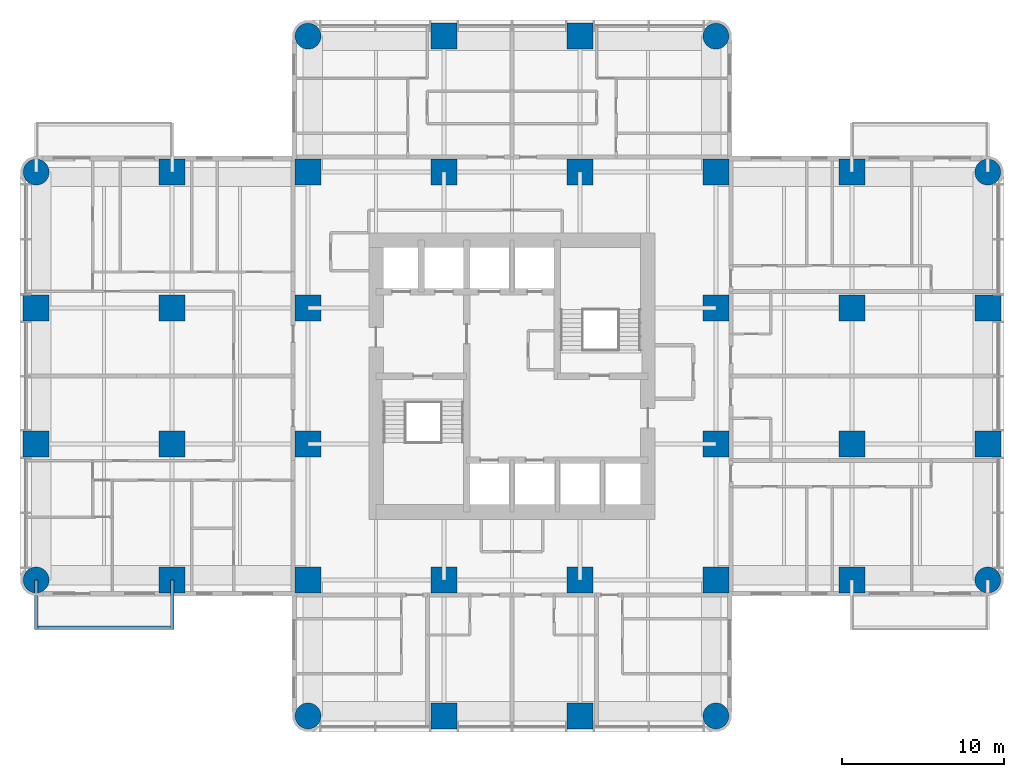
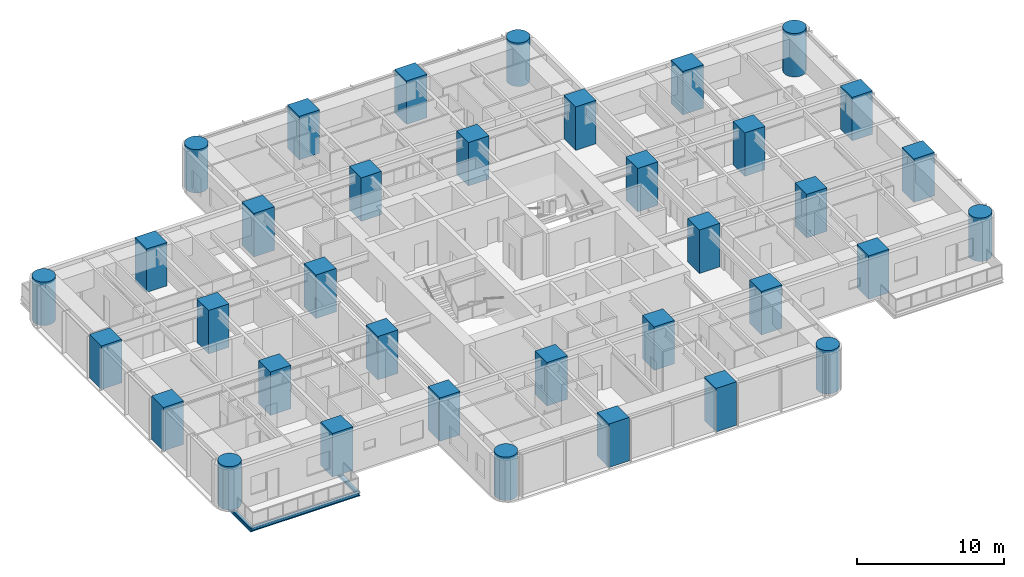
# One storey, part 1 of 14: 36 columns, 3 beams.
"""IFC4 building model written with IfcOpenShell, lengths in metres."""

from ifc_helpers import new_model, si_unit, direction, frame, origin, origin_2d, place, context, subcontext, project, spatial, rectangle, circle, i_section, extrude, material, material_profile, profile_set, type_object, element, save


model = new_model("IFC4")

# Units and contexts
model_context = context("Model", 3, precision=1e-05, world=origin(), true_north=direction((0.0, 1.0)))
body_context = subcontext(model_context, "Body", "Model", "MODEL_VIEW")
ifc_project = project(units=[si_unit("LENGTHUNIT", "METRE"), si_unit("AREAUNIT", "SQUARE_METRE"), si_unit("VOLUMEUNIT", "CUBIC_METRE"), si_unit("PLANEANGLEUNIT", "RADIAN"), si_unit("MASSUNIT", "GRAM", prefix="KILO")], contexts=[model_context])

# Site, building, storey
site_placement = place(None, origin())
site = spatial("IfcSite", under=ifc_project, at=site_placement, CompositionType="ELEMENT")
building_placement = place(site_placement, origin())
building = spatial("IfcBuilding", under=site, at=building_placement, Name="Torre Alcanfor", CompositionType="ELEMENT")
storey_placement = place(building_placement, frame((0.0, 0.0, 155.699951171875)))
storey = spatial("IfcBuildingStorey", under=building, at=storey_placement, Name="L40", CompositionType="ELEMENT", Elevation=155.699951171875)

# Columns
ifc_material_1 = material(Name="Concrete f'c 70 MPa", Category="concrete")
ifc_material_profile_1 = material_profile(ifc_material_1, rectangle(XDim=1.60009765625, YDim=1.60009765625, at=origin_2d()), Name="1600x1600")
ifc_profile_set_1 = profile_set([ifc_material_profile_1], Name="Concrete f'c 70 MPa")
column_type_1 = type_object("IfcColumnType", Name="RC column 1600x1600 f'c70", PredefinedType="COLUMN", material=ifc_profile_set_1)
for number, where, z_axis, x_axis, name in (
    (1, (0.0, 25.199951171875, 0.0), (0.0, 0.0, 1.0), (1.0, 0.0, 0.0), "Column 1/F L40"),
    (2, (0.0, 33.60009765625, 0.0), (0.0, 0.0, 1.0), (1.0, 0.0, 0.0), "Column 1/G L40"),
    (3, (8.39990234375, 16.800048828125, 0.0), (0.0, 0.0, 1.0), (1.0, 0.0, 0.0), "Column 2/E L40"),
    (4, (8.39990234375, 25.199951171875, 0.0), (0.0, 0.0, 1.0), (1.0, 0.0, 0.0), "Column 2/F L40"),
    (5, (8.39990234375, 33.60009765625, 0.0), (0.0, 0.0, 1.0), (1.0, 0.0, 0.0), "Column 2/G L40"),
    (6, (8.39990234375, 42.0, 0.0), (0.0, 0.0, 1.0), (1.0, 0.0, 0.0), "Column 2/H L40"),
    (7, (16.800048828125, 16.800048828125, 0.0), (0.0, 0.0, 1.0), (1.0, 0.0, 0.0), "Column 3/E L40"),
    (8, (16.800048828125, 25.199951171875, 0.0), (0.0, 0.0, 1.0), (1.0, 0.0, 0.0), "Column 3/F L40"),
    (9, (16.800048828125, 33.60009765625, 0.0), (0.0, 0.0, 1.0), (1.0, 0.0, 0.0), "Column 3/G L40"),
    (10, (16.800048828125, 42.0, 0.0), (0.0, 0.0, 1.0), (1.0, 0.0, 0.0), "Column 3/H L40"),
    (11, (25.199951171875, 8.39990234375, 0.0), (0.0, 0.0, 1.0), (1.0, 0.0, 0.0), "Column 4/D L40"),
    (12, (25.199951171875, 16.800048828125, 0.0), (0.0, 0.0, 1.0), (1.0, 0.0, 0.0), "Column 4/E L40"),
    (13, (25.199951171875, 42.0, 0.0), (0.0, 0.0, 1.0), (1.0, 0.0, 0.0), "Column 4/H L40"),
    (14, (25.199951171875, 50.39990234375, 0.0), (0.0, 0.0, 1.0), (1.0, 0.0, 0.0), "Column 4/J L40"),
    (15, (33.60009765625, 8.39990234375, 0.0), (0.0, 0.0, 1.0), (1.0, 0.0, 0.0), "Column 5/D L40"),
    (16, (33.60009765625, 16.800048828125, 0.0), (0.0, 0.0, 1.0), (1.0, 0.0, 0.0), "Column 5/E L40"),
    (17, (33.60009765625, 42.0, 0.0), (0.0, 0.0, 1.0), (1.0, 0.0, 0.0), "Column 5/H L40"),
    (18, (33.60009765625, 50.39990234375, 0.0), (0.0, 0.0, 1.0), (1.0, 0.0, 0.0), "Column 5/J L40"),
    (19, (42.0, 16.800048828125, 0.0), (0.0, 0.0, 1.0), (1.0, 0.0, 0.0), "Column 6/E L40"),
    (20, (42.0, 25.199951171875, 0.0), (0.0, 0.0, 1.0), (1.0, 0.0, 0.0), "Column 6/F L40"),
    (21, (42.0, 33.60009765625, 0.0), (0.0, 0.0, 1.0), (1.0, 0.0, 0.0), "Column 6/G L40"),
    (22, (42.0, 42.0, 0.0), (0.0, 0.0, 1.0), (1.0, 0.0, 0.0), "Column 6/H L40"),
    (23, (50.39990234375, 16.800048828125, 0.0), (0.0, 0.0, 1.0), (1.0, 0.0, 0.0), "Column 7/E L40"),
    (24, (50.39990234375, 25.199951171875, 0.0), (0.0, 0.0, 1.0), (1.0, 0.0, 0.0), "Column 7/F L40"),
    (25, (50.39990234375, 33.60009765625, 0.0), (0.0, 0.0, 1.0), (1.0, 0.0, 0.0), "Column 7/G L40"),
    (26, (50.39990234375, 42.0, 0.0), (0.0, 0.0, 1.0), (1.0, 0.0, 0.0), "Column 7/H L40"),
    (27, (58.800048828125, 25.199951171875, 0.0), (0.0, 0.0, 1.0), (1.0, 0.0, 0.0), "Column 8/F L40"),
    (28, (58.800048828125, 33.60009765625, 0.0), (0.0, 0.0, 1.0), (1.0, 0.0, 0.0), "Column 8/G L40"),
):
    element("IfcColumn", number, at=place(storey_placement, frame(where, z_axis=z_axis, x_axis=x_axis)), inside=storey, type_object=column_type_1, Name=name, PredefinedType="COLUMN", context=body_context, shape_type="SweptSolid", body=[
        extrude(rectangle(XDim=1.60009765625, YDim=1.60009765625, at=origin_2d()), origin(), (0.0, 0.0, 1.0), 3.60009765625),
    ])
ifc_material_2 = material(Name="Concrete f'c 70 MPa", Category="concrete")
ifc_material_profile_2 = material_profile(ifc_material_2, circle(Radius=0.800048828125, at=origin_2d()), Name="D1600")
ifc_profile_set_2 = profile_set([ifc_material_profile_2], Name="Concrete f'c 70 MPa")
column_type_2 = type_object("IfcColumnType", Name="RC column D1600 f'c70", PredefinedType="COLUMN", material=ifc_profile_set_2)
for number, where, z_axis, x_axis, name in (
    (29, (0.0, 16.800048828125, 0.0), (0.0, 0.0, 1.0), (1.0, 0.0, 0.0), "Column 1/E L40"),
    (30, (0.0, 42.0, 0.0), (0.0, 0.0, 1.0), (1.0, 0.0, 0.0), "Column 1/H L40"),
    (31, (16.800048828125, 8.39990234375, 0.0), (0.0, 0.0, 1.0), (1.0, 0.0, 0.0), "Column 3/D L40"),
    (32, (16.800048828125, 50.39990234375, 0.0), (0.0, 0.0, 1.0), (1.0, 0.0, 0.0), "Column 3/J L40"),
    (33, (42.0, 8.39990234375, 0.0), (0.0, 0.0, 1.0), (1.0, 0.0, 0.0), "Column 6/D L40"),
    (34, (42.0, 50.39990234375, 0.0), (0.0, 0.0, 1.0), (1.0, 0.0, 0.0), "Column 6/J L40"),
    (35, (58.800048828125, 16.800048828125, 0.0), (0.0, 0.0, 1.0), (1.0, 0.0, 0.0), "Column 8/E L40"),
    (36, (58.800048828125, 42.0, 0.0), (0.0, 0.0, 1.0), (1.0, 0.0, 0.0), "Column 8/H L40"),
):
    element("IfcColumn", number, at=place(storey_placement, frame(where, z_axis=z_axis, x_axis=x_axis)), inside=storey, type_object=column_type_2, Name=name, PredefinedType="COLUMN", context=body_context, shape_type="SweptSolid", body=[
        extrude(circle(Radius=0.800048828125, at=origin_2d()), origin(), (0.0, 0.0, 1.0), 3.60009765625),
    ])

# Beams
ifc_material_3 = material(Name="Steel ASTM A992 Grade 50", Category="steel")
ifc_material_profile_3 = material_profile(ifc_material_3, i_section(OverallWidth=0.205322265625, OverallDepth=0.309814453125, WebThickness=0.00927734375, FlangeThickness=0.016357421875, at=origin_2d()), Name="W12x50")
ifc_profile_set_3 = profile_set([ifc_material_profile_3], Name="Steel ASTM A992 Grade 50")
beam_type_1 = type_object("IfcBeamType", Name="Balcony cantilever beam W12x50", PredefinedType="BEAM", material=ifc_profile_set_3)
for number, where, z_axis, x_axis, name in (
    (37, (8.39990234375, 16.800048828125, -0.35498046875), (0.0, -1.0, 0.0), (1.0, 0.0, 0.0), "Balcony cantilever beam L40-W1 1"),
    (38, (0.0, 16.800048828125, -0.35498046875), (0.0, -1.0, 0.0), (1.0, 0.0, 0.0), "Balcony cantilever beam L40-W1 2"),
):
    element("IfcBeam", number, at=place(storey_placement, frame(where, z_axis=z_axis, x_axis=x_axis)), inside=storey, type_object=beam_type_1, Name=name, PredefinedType="BEAM", context=body_context, shape_type="SweptSolid", body=[
        extrude(i_section(OverallWidth=0.205322265625, OverallDepth=0.309814453125, WebThickness=0.00927734375, FlangeThickness=0.016357421875, at=origin_2d()), origin(), (0.0, 0.0, 1.0), 3.050048828125),
    ])
ifc_material_4 = material(Name="Steel ASTM A992 Grade 50", Category="steel")
ifc_material_profile_4 = material_profile(ifc_material_4, i_section(OverallWidth=0.203369140625, OverallDepth=0.30224609375, WebThickness=0.007568359375, FlangeThickness=0.01318359375, at=origin_2d()), Name="W12x40")
ifc_profile_set_4 = profile_set([ifc_material_profile_4], Name="Steel ASTM A992 Grade 50")
beam_type_2 = type_object("IfcBeamType", Name="Balcony edge trimmer W12x40", PredefinedType="BEAM", material=ifc_profile_set_4)
beam_placement = place(storey_placement, frame((8.39990234375, 13.851806640625, -0.35107421875), z_axis=(-1.0, 0.0, 0.0), x_axis=(0.0, -1.0, 0.0)))
element("IfcBeam", 39, at=beam_placement, inside=storey, type_object=beam_type_2, Name="Balcony edge trimmer L40-W1", PredefinedType="BEAM", context=body_context, shape_type="SweptSolid", body=[
    extrude(i_section(OverallWidth=0.203369140625, OverallDepth=0.30224609375, WebThickness=0.007568359375, FlangeThickness=0.01318359375, at=origin_2d()), origin(), (0.0, 0.0, 1.0), 8.39990234375),
])

save(model, "model.ifc")
